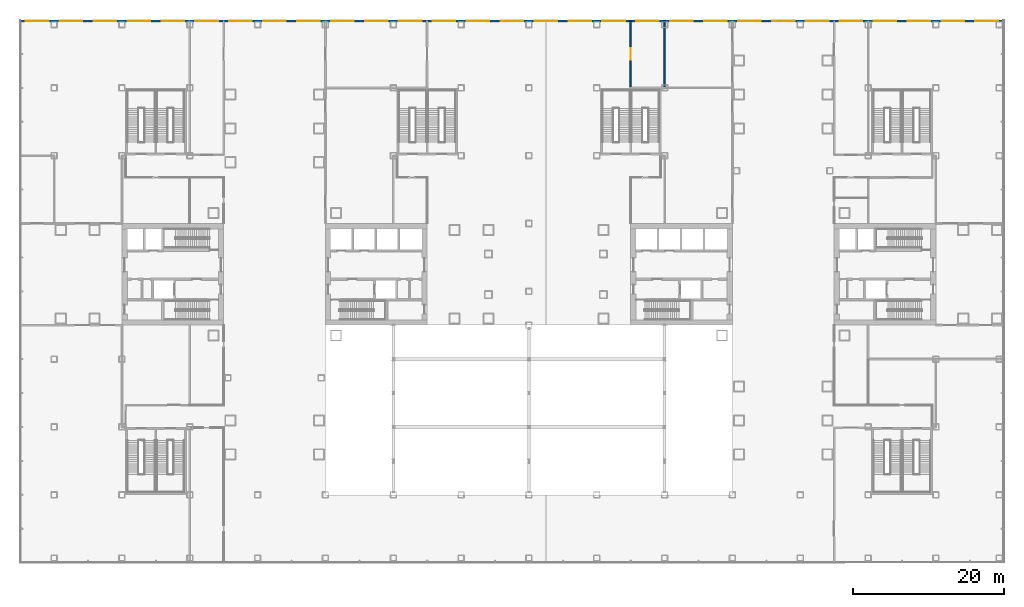
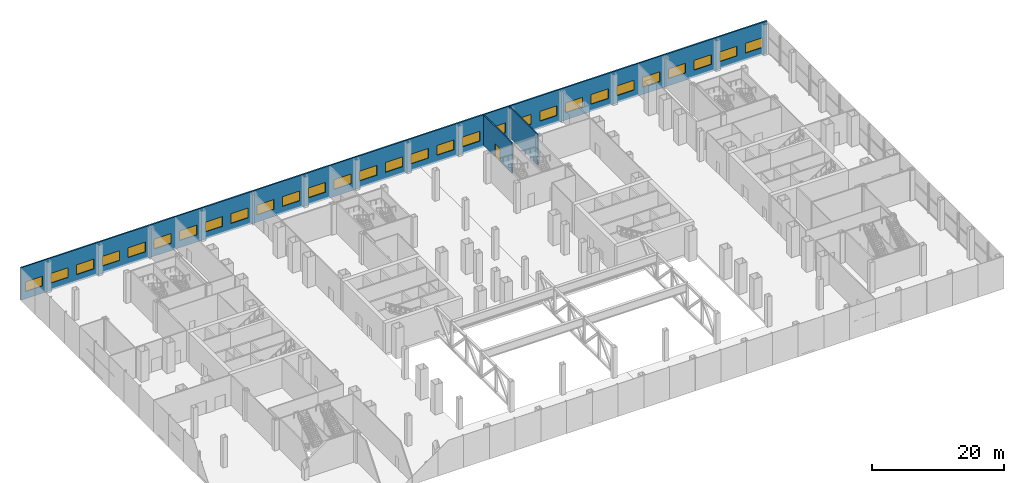
# One storey, part 25 of 33: 29 windows, 3 walls, 1 door, 30 openings.
"""IFC4 building model written with IfcOpenShell, lengths in metres."""

from ifc_helpers import new_model, si_unit, direction, frame, frame_2d, origin, place, context, subcontext, project, spatial, rectangle, extrude, material, layer, layer_set, type_object, element, fill, save


model = new_model("IFC4")

# Units and contexts
model_context = context("Model", 3, precision=1e-05, world=origin(), true_north=direction((0.0, 1.0)))
body_context = subcontext(model_context, "Body", "Model", "MODEL_VIEW")
ifc_project = project(units=[si_unit("LENGTHUNIT", "METRE"), si_unit("AREAUNIT", "SQUARE_METRE"), si_unit("VOLUMEUNIT", "CUBIC_METRE"), si_unit("PLANEANGLEUNIT", "RADIAN"), si_unit("MASSUNIT", "GRAM", prefix="KILO")], contexts=[model_context])

# Site, building, storey
site_placement = place(None, origin())
site = spatial("IfcSite", under=ifc_project, at=site_placement, CompositionType="ELEMENT")
building_placement = place(site_placement, origin())
building = spatial("IfcBuilding", under=site, at=building_placement, Name="Shamsa Quay Exchange Towers", CompositionType="ELEMENT")
storey_placement = place(building_placement, frame((0.0, 0.0, 6.5)))
storey = spatial("IfcBuildingStorey", under=building, at=storey_placement, Name="L01", CompositionType="ELEMENT", Elevation=6.5)

# Wall, opening, door
ifc_material_1 = material(Name="Double-leaf gypsum board partition with acoustic insulation")
ifc_layer_1 = layer(ifc_material_1, 0.199951171875)
ifc_layer_set_1 = layer_set([ifc_layer_1], Name="Acoustic partition 200 mm EI 60")
wall_type_1 = type_object("IfcWallType", Name="Acoustic partition 200 mm EI 60", PredefinedType="PARTITIONING", material=ifc_layer_set_1)
wall_1_placement = place(storey_placement, frame((13.5, 33.655029296875, 0.0), z_axis=(0.0, 0.0, 1.0), x_axis=(0.0, -1.0, 0.0)))
wall_1 = element("IfcWall", 1, at=wall_1_placement, inside=storey, type_object=wall_type_1, Name="Partition PD-L01-W13", PredefinedType="PARTITIONING", context=body_context, shape_type="SweptSolid", body=[
    extrude(rectangle(XDim=8.804931640625, YDim=0.199951171875, at=frame_2d((4.40234375, 0.0))), origin(), (0.0, 0.0, 1.0), 5.60009765625),
])
opening_1_placement = place(wall_1_placement, frame((3.655029296875, 0.0, 0.0)))
opening_1 = element("IfcOpeningElement", 2, at=opening_1_placement, cuts=wall_1, Name="Opening PD-L01-D20", PredefinedType="OPENING", context=body_context, shape_type="SweptSolid", body=[
    extrude(rectangle(XDim=1.5, YDim=2.39990234375, at=frame_2d((0.75, 1.199951171875))), frame((0.0, 0.10986328125, 0.0), z_axis=(0.0, -1.0, 0.0), x_axis=(1.0, 0.0, 0.0)), (0.0, 0.0, 1.0), 0.219970703125),
])
ifc_material_2 = material(Name="Timber door leaf in a metal frame", Category="wood")
door_type = type_object("IfcDoorType", Name="Door 1500x2400 FD30S pair", OperationType="NOTDEFINED", PredefinedType="DOOR", material=ifc_material_2)
door_placement = place(opening_1_placement, origin())
door = element("IfcDoor", 3, at=door_placement, inside=storey, type_object=door_type, Name="Door PD-L01-D20", OperationType="DOUBLE_DOOR_SINGLE_SWING", OverallHeight=2.39990234375, OverallWidth=1.5, PredefinedType="DOOR", context=body_context, shape_type="SweptSolid", body=[
    extrude(rectangle(XDim=1.5, YDim=2.39990234375, at=frame_2d((0.75, 1.199951171875))), frame((0.0, 0.02490234375, 0.0), z_axis=(0.0, -1.0, 0.0), x_axis=(1.0, 0.0, 0.0)), (0.0, 0.0, 1.0), 0.050048828125),
])
fill(opening_1, door)

# Wall
wall_2_placement = place(storey_placement, frame((18.0, 33.655029296875, 0.0), z_axis=(0.0, 0.0, 1.0), x_axis=(0.0, -1.0, 0.0)))
element("IfcWall", 4, at=wall_2_placement, inside=storey, type_object=wall_type_1, Name="Partition PD-L01-W63", PredefinedType="PARTITIONING", context=body_context, shape_type="SweptSolid", body=[
    extrude(rectangle(XDim=8.804931640625, YDim=0.199951171875, at=frame_2d((4.40234375, 0.0))), origin(), (0.0, 0.0, 1.0), 5.60009765625),
])

# Wall, openings, windows
ifc_material_3 = material(Name="Precast concrete C40/50", Category="concrete")
ifc_layer_2 = layer(ifc_material_3, 0.25)
ifc_layer_set_2 = layer_set([ifc_layer_2], Name="PODIUM PRECAST WALL 250 C40/50")
wall_type_2 = type_object("IfcWallType", Name="PODIUM PRECAST WALL 250 C40/50", PredefinedType="SOLIDWALL", material=ifc_layer_set_2)
wall_3_placement = place(storey_placement, frame((-67.5, 33.625, -0.35009765625)))
wall_3 = element("IfcWall", 5, at=wall_3_placement, inside=storey, type_object=wall_type_2, Name="Precast wall PODIUM-L01-F01 L01", PredefinedType="SOLIDWALL", context=body_context, shape_type="SweptSolid", body=[
    extrude(rectangle(XDim=130.5, YDim=0.25, at=frame_2d((65.25, 0.0))), origin(), (0.0, 0.0, 1.0), 6.0),
])
opening_2_placement = place(wall_3_placement, frame((126.75, 0.0, 1.35009765625)))
opening_2 = element("IfcOpeningElement", 6, at=opening_2_placement, cuts=wall_3, Name="Opening FW1", PredefinedType="OPENING", context=body_context, shape_type="SweptSolid", body=[
    extrude(rectangle(XDim=3.0, YDim=1.800048828125, at=frame_2d((1.5, 0.89990234375))), frame((0.0, 0.135009765625, 0.0), z_axis=(0.0, -1.0, 0.0), x_axis=(1.0, 0.0, 0.0)), (0.0, 0.0, 1.0), 0.27001953125),
])
opening_3_placement = place(wall_3_placement, frame((122.25, 0.0, 1.35009765625)))
opening_3 = element("IfcOpeningElement", 7, at=opening_3_placement, cuts=wall_3, Name="Opening FW1", PredefinedType="OPENING", context=body_context, shape_type="SweptSolid", body=[
    extrude(rectangle(XDim=3.0, YDim=1.800048828125, at=frame_2d((1.5, 0.89990234375))), frame((0.0, 0.135009765625, 0.0), z_axis=(0.0, -1.0, 0.0), x_axis=(1.0, 0.0, 0.0)), (0.0, 0.0, 1.0), 0.27001953125),
])
opening_4_placement = place(wall_3_placement, frame((117.75, 0.0, 1.35009765625)))
opening_4 = element("IfcOpeningElement", 8, at=opening_4_placement, cuts=wall_3, Name="Opening FW1", PredefinedType="OPENING", context=body_context, shape_type="SweptSolid", body=[
    extrude(rectangle(XDim=3.0, YDim=1.800048828125, at=frame_2d((1.5, 0.89990234375))), frame((0.0, 0.135009765625, 0.0), z_axis=(0.0, -1.0, 0.0), x_axis=(1.0, 0.0, 0.0)), (0.0, 0.0, 1.0), 0.27001953125),
])
opening_5_placement = place(wall_3_placement, frame((113.25, 0.0, 1.35009765625)))
opening_5 = element("IfcOpeningElement", 9, at=opening_5_placement, cuts=wall_3, Name="Opening FW1", PredefinedType="OPENING", context=body_context, shape_type="SweptSolid", body=[
    extrude(rectangle(XDim=3.0, YDim=1.800048828125, at=frame_2d((1.5, 0.89990234375))), frame((0.0, 0.135009765625, 0.0), z_axis=(0.0, -1.0, 0.0), x_axis=(1.0, 0.0, 0.0)), (0.0, 0.0, 1.0), 0.27001953125),
])
opening_6_placement = place(wall_3_placement, frame((108.75, 0.0, 1.35009765625)))
opening_6 = element("IfcOpeningElement", 10, at=opening_6_placement, cuts=wall_3, Name="Opening FW1", PredefinedType="OPENING", context=body_context, shape_type="SweptSolid", body=[
    extrude(rectangle(XDim=3.0, YDim=1.800048828125, at=frame_2d((1.5, 0.89990234375))), frame((0.0, 0.135009765625, 0.0), z_axis=(0.0, -1.0, 0.0), x_axis=(1.0, 0.0, 0.0)), (0.0, 0.0, 1.0), 0.27001953125),
])
opening_7_placement = place(wall_3_placement, frame((104.25, 0.0, 1.35009765625)))
opening_7 = element("IfcOpeningElement", 11, at=opening_7_placement, cuts=wall_3, Name="Opening FW1", PredefinedType="OPENING", context=body_context, shape_type="SweptSolid", body=[
    extrude(rectangle(XDim=3.0, YDim=1.800048828125, at=frame_2d((1.5, 0.89990234375))), frame((0.0, 0.135009765625, 0.0), z_axis=(0.0, -1.0, 0.0), x_axis=(1.0, 0.0, 0.0)), (0.0, 0.0, 1.0), 0.27001953125),
])
opening_8_placement = place(wall_3_placement, frame((99.75, 0.0, 1.35009765625)))
opening_8 = element("IfcOpeningElement", 12, at=opening_8_placement, cuts=wall_3, Name="Opening FW1", PredefinedType="OPENING", context=body_context, shape_type="SweptSolid", body=[
    extrude(rectangle(XDim=3.0, YDim=1.800048828125, at=frame_2d((1.5, 0.89990234375))), frame((0.0, 0.135009765625, 0.0), z_axis=(0.0, -1.0, 0.0), x_axis=(1.0, 0.0, 0.0)), (0.0, 0.0, 1.0), 0.27001953125),
])
opening_9_placement = place(wall_3_placement, frame((95.25, 0.0, 1.35009765625)))
opening_9 = element("IfcOpeningElement", 13, at=opening_9_placement, cuts=wall_3, Name="Opening FW1", PredefinedType="OPENING", context=body_context, shape_type="SweptSolid", body=[
    extrude(rectangle(XDim=3.0, YDim=1.800048828125, at=frame_2d((1.5, 0.89990234375))), frame((0.0, 0.135009765625, 0.0), z_axis=(0.0, -1.0, 0.0), x_axis=(1.0, 0.0, 0.0)), (0.0, 0.0, 1.0), 0.27001953125),
])
opening_10_placement = place(wall_3_placement, frame((90.75, 0.0, 1.35009765625)))
opening_10 = element("IfcOpeningElement", 14, at=opening_10_placement, cuts=wall_3, Name="Opening FW1", PredefinedType="OPENING", context=body_context, shape_type="SweptSolid", body=[
    extrude(rectangle(XDim=3.0, YDim=1.800048828125, at=frame_2d((1.5, 0.89990234375))), frame((0.0, 0.135009765625, 0.0), z_axis=(0.0, -1.0, 0.0), x_axis=(1.0, 0.0, 0.0)), (0.0, 0.0, 1.0), 0.27001953125),
])
opening_11_placement = place(wall_3_placement, frame((86.25, 0.0, 1.35009765625)))
opening_11 = element("IfcOpeningElement", 15, at=opening_11_placement, cuts=wall_3, Name="Opening FW1", PredefinedType="OPENING", context=body_context, shape_type="SweptSolid", body=[
    extrude(rectangle(XDim=3.0, YDim=1.800048828125, at=frame_2d((1.5, 0.89990234375))), frame((0.0, 0.135009765625, 0.0), z_axis=(0.0, -1.0, 0.0), x_axis=(1.0, 0.0, 0.0)), (0.0, 0.0, 1.0), 0.27001953125),
])
opening_12_placement = place(wall_3_placement, frame((81.75, 0.0, 1.35009765625)))
opening_12 = element("IfcOpeningElement", 16, at=opening_12_placement, cuts=wall_3, Name="Opening FW1", PredefinedType="OPENING", context=body_context, shape_type="SweptSolid", body=[
    extrude(rectangle(XDim=3.0, YDim=1.800048828125, at=frame_2d((1.5, 0.89990234375))), frame((0.0, 0.135009765625, 0.0), z_axis=(0.0, -1.0, 0.0), x_axis=(1.0, 0.0, 0.0)), (0.0, 0.0, 1.0), 0.27001953125),
])
opening_13_placement = place(wall_3_placement, frame((77.25, 0.0, 1.35009765625)))
opening_13 = element("IfcOpeningElement", 17, at=opening_13_placement, cuts=wall_3, Name="Opening FW1", PredefinedType="OPENING", context=body_context, shape_type="SweptSolid", body=[
    extrude(rectangle(XDim=3.0, YDim=1.800048828125, at=frame_2d((1.5, 0.89990234375))), frame((0.0, 0.135009765625, 0.0), z_axis=(0.0, -1.0, 0.0), x_axis=(1.0, 0.0, 0.0)), (0.0, 0.0, 1.0), 0.27001953125),
])
opening_14_placement = place(wall_3_placement, frame((72.75, 0.0, 1.35009765625)))
opening_14 = element("IfcOpeningElement", 18, at=opening_14_placement, cuts=wall_3, Name="Opening FW1", PredefinedType="OPENING", context=body_context, shape_type="SweptSolid", body=[
    extrude(rectangle(XDim=3.0, YDim=1.800048828125, at=frame_2d((1.5, 0.89990234375))), frame((0.0, 0.135009765625, 0.0), z_axis=(0.0, -1.0, 0.0), x_axis=(1.0, 0.0, 0.0)), (0.0, 0.0, 1.0), 0.27001953125),
])
opening_15_placement = place(wall_3_placement, frame((68.25, 0.0, 1.35009765625)))
opening_15 = element("IfcOpeningElement", 19, at=opening_15_placement, cuts=wall_3, Name="Opening FW1", PredefinedType="OPENING", context=body_context, shape_type="SweptSolid", body=[
    extrude(rectangle(XDim=3.0, YDim=1.800048828125, at=frame_2d((1.5, 0.89990234375))), frame((0.0, 0.135009765625, 0.0), z_axis=(0.0, -1.0, 0.0), x_axis=(1.0, 0.0, 0.0)), (0.0, 0.0, 1.0), 0.27001953125),
])
opening_16_placement = place(wall_3_placement, frame((63.75, 0.0, 1.35009765625)))
opening_16 = element("IfcOpeningElement", 20, at=opening_16_placement, cuts=wall_3, Name="Opening FW1", PredefinedType="OPENING", context=body_context, shape_type="SweptSolid", body=[
    extrude(rectangle(XDim=3.0, YDim=1.800048828125, at=frame_2d((1.5, 0.89990234375))), frame((0.0, 0.135009765625, 0.0), z_axis=(0.0, -1.0, 0.0), x_axis=(1.0, 0.0, 0.0)), (0.0, 0.0, 1.0), 0.27001953125),
])
opening_17_placement = place(wall_3_placement, frame((59.25, 0.0, 1.35009765625)))
opening_17 = element("IfcOpeningElement", 21, at=opening_17_placement, cuts=wall_3, Name="Opening FW1", PredefinedType="OPENING", context=body_context, shape_type="SweptSolid", body=[
    extrude(rectangle(XDim=3.0, YDim=1.800048828125, at=frame_2d((1.5, 0.89990234375))), frame((0.0, 0.135009765625, 0.0), z_axis=(0.0, -1.0, 0.0), x_axis=(1.0, 0.0, 0.0)), (0.0, 0.0, 1.0), 0.27001953125),
])
opening_18_placement = place(wall_3_placement, frame((54.75, 0.0, 1.35009765625)))
opening_18 = element("IfcOpeningElement", 22, at=opening_18_placement, cuts=wall_3, Name="Opening FW1", PredefinedType="OPENING", context=body_context, shape_type="SweptSolid", body=[
    extrude(rectangle(XDim=3.0, YDim=1.800048828125, at=frame_2d((1.5, 0.89990234375))), frame((0.0, 0.135009765625, 0.0), z_axis=(0.0, -1.0, 0.0), x_axis=(1.0, 0.0, 0.0)), (0.0, 0.0, 1.0), 0.27001953125),
])
opening_19_placement = place(wall_3_placement, frame((50.25, 0.0, 1.35009765625)))
opening_19 = element("IfcOpeningElement", 23, at=opening_19_placement, cuts=wall_3, Name="Opening FW1", PredefinedType="OPENING", context=body_context, shape_type="SweptSolid", body=[
    extrude(rectangle(XDim=3.0, YDim=1.800048828125, at=frame_2d((1.5, 0.89990234375))), frame((0.0, 0.135009765625, 0.0), z_axis=(0.0, -1.0, 0.0), x_axis=(1.0, 0.0, 0.0)), (0.0, 0.0, 1.0), 0.27001953125),
])
opening_20_placement = place(wall_3_placement, frame((45.75, 0.0, 1.35009765625)))
opening_20 = element("IfcOpeningElement", 24, at=opening_20_placement, cuts=wall_3, Name="Opening FW1", PredefinedType="OPENING", context=body_context, shape_type="SweptSolid", body=[
    extrude(rectangle(XDim=3.0, YDim=1.800048828125, at=frame_2d((1.5, 0.89990234375))), frame((0.0, 0.135009765625, 0.0), z_axis=(0.0, -1.0, 0.0), x_axis=(1.0, 0.0, 0.0)), (0.0, 0.0, 1.0), 0.27001953125),
])
opening_21_placement = place(wall_3_placement, frame((41.25, 0.0, 1.35009765625)))
opening_21 = element("IfcOpeningElement", 25, at=opening_21_placement, cuts=wall_3, Name="Opening FW1", PredefinedType="OPENING", context=body_context, shape_type="SweptSolid", body=[
    extrude(rectangle(XDim=3.0, YDim=1.800048828125, at=frame_2d((1.5, 0.89990234375))), frame((0.0, 0.135009765625, 0.0), z_axis=(0.0, -1.0, 0.0), x_axis=(1.0, 0.0, 0.0)), (0.0, 0.0, 1.0), 0.27001953125),
])
opening_22_placement = place(wall_3_placement, frame((36.75, 0.0, 1.35009765625)))
opening_22 = element("IfcOpeningElement", 26, at=opening_22_placement, cuts=wall_3, Name="Opening FW1", PredefinedType="OPENING", context=body_context, shape_type="SweptSolid", body=[
    extrude(rectangle(XDim=3.0, YDim=1.800048828125, at=frame_2d((1.5, 0.89990234375))), frame((0.0, 0.135009765625, 0.0), z_axis=(0.0, -1.0, 0.0), x_axis=(1.0, 0.0, 0.0)), (0.0, 0.0, 1.0), 0.27001953125),
])
opening_23_placement = place(wall_3_placement, frame((32.25, 0.0, 1.35009765625)))
opening_23 = element("IfcOpeningElement", 27, at=opening_23_placement, cuts=wall_3, Name="Opening FW1", PredefinedType="OPENING", context=body_context, shape_type="SweptSolid", body=[
    extrude(rectangle(XDim=3.0, YDim=1.800048828125, at=frame_2d((1.5, 0.89990234375))), frame((0.0, 0.135009765625, 0.0), z_axis=(0.0, -1.0, 0.0), x_axis=(1.0, 0.0, 0.0)), (0.0, 0.0, 1.0), 0.27001953125),
])
opening_24_placement = place(wall_3_placement, frame((27.75, 0.0, 1.35009765625)))
opening_24 = element("IfcOpeningElement", 28, at=opening_24_placement, cuts=wall_3, Name="Opening FW1", PredefinedType="OPENING", context=body_context, shape_type="SweptSolid", body=[
    extrude(rectangle(XDim=3.0, YDim=1.800048828125, at=frame_2d((1.5, 0.89990234375))), frame((0.0, 0.135009765625, 0.0), z_axis=(0.0, -1.0, 0.0), x_axis=(1.0, 0.0, 0.0)), (0.0, 0.0, 1.0), 0.27001953125),
])
opening_25_placement = place(wall_3_placement, frame((23.25, 0.0, 1.35009765625)))
opening_25 = element("IfcOpeningElement", 29, at=opening_25_placement, cuts=wall_3, Name="Opening FW1", PredefinedType="OPENING", context=body_context, shape_type="SweptSolid", body=[
    extrude(rectangle(XDim=3.0, YDim=1.800048828125, at=frame_2d((1.5, 0.89990234375))), frame((0.0, 0.135009765625, 0.0), z_axis=(0.0, -1.0, 0.0), x_axis=(1.0, 0.0, 0.0)), (0.0, 0.0, 1.0), 0.27001953125),
])
opening_26_placement = place(wall_3_placement, frame((18.75, 0.0, 1.35009765625)))
opening_26 = element("IfcOpeningElement", 30, at=opening_26_placement, cuts=wall_3, Name="Opening FW1", PredefinedType="OPENING", context=body_context, shape_type="SweptSolid", body=[
    extrude(rectangle(XDim=3.0, YDim=1.800048828125, at=frame_2d((1.5, 0.89990234375))), frame((0.0, 0.135009765625, 0.0), z_axis=(0.0, -1.0, 0.0), x_axis=(1.0, 0.0, 0.0)), (0.0, 0.0, 1.0), 0.27001953125),
])
opening_27_placement = place(wall_3_placement, frame((14.25, 0.0, 1.35009765625)))
opening_27 = element("IfcOpeningElement", 31, at=opening_27_placement, cuts=wall_3, Name="Opening FW1", PredefinedType="OPENING", context=body_context, shape_type="SweptSolid", body=[
    extrude(rectangle(XDim=3.0, YDim=1.800048828125, at=frame_2d((1.5, 0.89990234375))), frame((0.0, 0.135009765625, 0.0), z_axis=(0.0, -1.0, 0.0), x_axis=(1.0, 0.0, 0.0)), (0.0, 0.0, 1.0), 0.27001953125),
])
opening_28_placement = place(wall_3_placement, frame((9.75, 0.0, 1.35009765625)))
opening_28 = element("IfcOpeningElement", 32, at=opening_28_placement, cuts=wall_3, Name="Opening FW1", PredefinedType="OPENING", context=body_context, shape_type="SweptSolid", body=[
    extrude(rectangle(XDim=3.0, YDim=1.800048828125, at=frame_2d((1.5, 0.89990234375))), frame((0.0, 0.135009765625, 0.0), z_axis=(0.0, -1.0, 0.0), x_axis=(1.0, 0.0, 0.0)), (0.0, 0.0, 1.0), 0.27001953125),
])
opening_29_placement = place(wall_3_placement, frame((5.25, 0.0, 1.35009765625)))
opening_29 = element("IfcOpeningElement", 33, at=opening_29_placement, cuts=wall_3, Name="Opening FW1", PredefinedType="OPENING", context=body_context, shape_type="SweptSolid", body=[
    extrude(rectangle(XDim=3.0, YDim=1.800048828125, at=frame_2d((1.5, 0.89990234375))), frame((0.0, 0.135009765625, 0.0), z_axis=(0.0, -1.0, 0.0), x_axis=(1.0, 0.0, 0.0)), (0.0, 0.0, 1.0), 0.27001953125),
])
opening_30_placement = place(wall_3_placement, frame((0.75, 0.0, 1.35009765625)))
opening_30 = element("IfcOpeningElement", 34, at=opening_30_placement, cuts=wall_3, Name="Opening FW1", PredefinedType="OPENING", context=body_context, shape_type="SweptSolid", body=[
    extrude(rectangle(XDim=3.0, YDim=1.800048828125, at=frame_2d((1.5, 0.89990234375))), frame((0.0, 0.135009765625, 0.0), z_axis=(0.0, -1.0, 0.0), x_axis=(1.0, 0.0, 0.0)), (0.0, 0.0, 1.0), 0.27001953125),
])
ifc_material_4 = material(Name="Aluminium EN AW-6063 T6, black anodised, with laminated glass", Category="aluminium")
window_type = type_object("IfcWindowType", Name="FIXED WINDOW 3000x1800", PartitioningType="TRIPLE_PANEL_VERTICAL", PredefinedType="WINDOW", material=ifc_material_4)
window_1_placement = place(opening_2_placement, origin())
window_1 = element("IfcWindow", 35, at=window_1_placement, inside=storey, type_object=window_type, Name="Fixed window PODIUM-L01-F01 1", OverallHeight=1.800048828125, OverallWidth=3.0, PartitioningType="TRIPLE_PANEL_VERTICAL", PredefinedType="WINDOW", context=body_context, shape_type="SweptSolid", body=[
    extrude(rectangle(XDim=3.0, YDim=1.800048828125, at=frame_2d((1.5, 0.89990234375))), frame((0.0, 0.030029296875, 0.0), z_axis=(0.0, -1.0, 0.0), x_axis=(1.0, 0.0, 0.0)), (0.0, 0.0, 1.0), 0.06005859375),
])
fill(opening_2, window_1)
window_2_placement = place(opening_3_placement, origin())
window_2 = element("IfcWindow", 36, at=window_2_placement, inside=storey, type_object=window_type, Name="Fixed window PODIUM-L01-F01 2", OverallHeight=1.800048828125, OverallWidth=3.0, PartitioningType="TRIPLE_PANEL_VERTICAL", PredefinedType="WINDOW", context=body_context, shape_type="SweptSolid", body=[
    extrude(rectangle(XDim=3.0, YDim=1.800048828125, at=frame_2d((1.5, 0.89990234375))), frame((0.0, 0.030029296875, 0.0), z_axis=(0.0, -1.0, 0.0), x_axis=(1.0, 0.0, 0.0)), (0.0, 0.0, 1.0), 0.06005859375),
])
fill(opening_3, window_2)
window_3_placement = place(opening_4_placement, origin())
window_3 = element("IfcWindow", 37, at=window_3_placement, inside=storey, type_object=window_type, Name="Fixed window PODIUM-L01-F01 3", OverallHeight=1.800048828125, OverallWidth=3.0, PartitioningType="TRIPLE_PANEL_VERTICAL", PredefinedType="WINDOW", context=body_context, shape_type="SweptSolid", body=[
    extrude(rectangle(XDim=3.0, YDim=1.800048828125, at=frame_2d((1.5, 0.89990234375))), frame((0.0, 0.030029296875, 0.0), z_axis=(0.0, -1.0, 0.0), x_axis=(1.0, 0.0, 0.0)), (0.0, 0.0, 1.0), 0.06005859375),
])
fill(opening_4, window_3)
window_4_placement = place(opening_5_placement, origin())
window_4 = element("IfcWindow", 38, at=window_4_placement, inside=storey, type_object=window_type, Name="Fixed window PODIUM-L01-F01 4", OverallHeight=1.800048828125, OverallWidth=3.0, PartitioningType="TRIPLE_PANEL_VERTICAL", PredefinedType="WINDOW", context=body_context, shape_type="SweptSolid", body=[
    extrude(rectangle(XDim=3.0, YDim=1.800048828125, at=frame_2d((1.5, 0.89990234375))), frame((0.0, 0.030029296875, 0.0), z_axis=(0.0, -1.0, 0.0), x_axis=(1.0, 0.0, 0.0)), (0.0, 0.0, 1.0), 0.06005859375),
])
fill(opening_5, window_4)
window_5_placement = place(opening_6_placement, origin())
window_5 = element("IfcWindow", 39, at=window_5_placement, inside=storey, type_object=window_type, Name="Fixed window PODIUM-L01-F01 5", OverallHeight=1.800048828125, OverallWidth=3.0, PartitioningType="TRIPLE_PANEL_VERTICAL", PredefinedType="WINDOW", context=body_context, shape_type="SweptSolid", body=[
    extrude(rectangle(XDim=3.0, YDim=1.800048828125, at=frame_2d((1.5, 0.89990234375))), frame((0.0, 0.030029296875, 0.0), z_axis=(0.0, -1.0, 0.0), x_axis=(1.0, 0.0, 0.0)), (0.0, 0.0, 1.0), 0.06005859375),
])
fill(opening_6, window_5)
window_6_placement = place(opening_7_placement, origin())
window_6 = element("IfcWindow", 40, at=window_6_placement, inside=storey, type_object=window_type, Name="Fixed window PODIUM-L01-F01 6", OverallHeight=1.800048828125, OverallWidth=3.0, PartitioningType="TRIPLE_PANEL_VERTICAL", PredefinedType="WINDOW", context=body_context, shape_type="SweptSolid", body=[
    extrude(rectangle(XDim=3.0, YDim=1.800048828125, at=frame_2d((1.5, 0.89990234375))), frame((0.0, 0.030029296875, 0.0), z_axis=(0.0, -1.0, 0.0), x_axis=(1.0, 0.0, 0.0)), (0.0, 0.0, 1.0), 0.06005859375),
])
fill(opening_7, window_6)
window_7_placement = place(opening_8_placement, origin())
window_7 = element("IfcWindow", 41, at=window_7_placement, inside=storey, type_object=window_type, Name="Fixed window PODIUM-L01-F01 7", OverallHeight=1.800048828125, OverallWidth=3.0, PartitioningType="TRIPLE_PANEL_VERTICAL", PredefinedType="WINDOW", context=body_context, shape_type="SweptSolid", body=[
    extrude(rectangle(XDim=3.0, YDim=1.800048828125, at=frame_2d((1.5, 0.89990234375))), frame((0.0, 0.030029296875, 0.0), z_axis=(0.0, -1.0, 0.0), x_axis=(1.0, 0.0, 0.0)), (0.0, 0.0, 1.0), 0.06005859375),
])
fill(opening_8, window_7)
window_8_placement = place(opening_9_placement, origin())
window_8 = element("IfcWindow", 42, at=window_8_placement, inside=storey, type_object=window_type, Name="Fixed window PODIUM-L01-F01 8", OverallHeight=1.800048828125, OverallWidth=3.0, PartitioningType="TRIPLE_PANEL_VERTICAL", PredefinedType="WINDOW", context=body_context, shape_type="SweptSolid", body=[
    extrude(rectangle(XDim=3.0, YDim=1.800048828125, at=frame_2d((1.5, 0.89990234375))), frame((0.0, 0.030029296875, 0.0), z_axis=(0.0, -1.0, 0.0), x_axis=(1.0, 0.0, 0.0)), (0.0, 0.0, 1.0), 0.06005859375),
])
fill(opening_9, window_8)
window_9_placement = place(opening_10_placement, origin())
window_9 = element("IfcWindow", 43, at=window_9_placement, inside=storey, type_object=window_type, Name="Fixed window PODIUM-L01-F01 9", OverallHeight=1.800048828125, OverallWidth=3.0, PartitioningType="TRIPLE_PANEL_VERTICAL", PredefinedType="WINDOW", context=body_context, shape_type="SweptSolid", body=[
    extrude(rectangle(XDim=3.0, YDim=1.800048828125, at=frame_2d((1.5, 0.89990234375))), frame((0.0, 0.030029296875, 0.0), z_axis=(0.0, -1.0, 0.0), x_axis=(1.0, 0.0, 0.0)), (0.0, 0.0, 1.0), 0.06005859375),
])
fill(opening_10, window_9)
window_10_placement = place(opening_11_placement, origin())
window_10 = element("IfcWindow", 44, at=window_10_placement, inside=storey, type_object=window_type, Name="Fixed window PODIUM-L01-F01 10", OverallHeight=1.800048828125, OverallWidth=3.0, PartitioningType="TRIPLE_PANEL_VERTICAL", PredefinedType="WINDOW", context=body_context, shape_type="SweptSolid", body=[
    extrude(rectangle(XDim=3.0, YDim=1.800048828125, at=frame_2d((1.5, 0.89990234375))), frame((0.0, 0.030029296875, 0.0), z_axis=(0.0, -1.0, 0.0), x_axis=(1.0, 0.0, 0.0)), (0.0, 0.0, 1.0), 0.06005859375),
])
fill(opening_11, window_10)
window_11_placement = place(opening_12_placement, origin())
window_11 = element("IfcWindow", 45, at=window_11_placement, inside=storey, type_object=window_type, Name="Fixed window PODIUM-L01-F01 11", OverallHeight=1.800048828125, OverallWidth=3.0, PartitioningType="TRIPLE_PANEL_VERTICAL", PredefinedType="WINDOW", context=body_context, shape_type="SweptSolid", body=[
    extrude(rectangle(XDim=3.0, YDim=1.800048828125, at=frame_2d((1.5, 0.89990234375))), frame((0.0, 0.030029296875, 0.0), z_axis=(0.0, -1.0, 0.0), x_axis=(1.0, 0.0, 0.0)), (0.0, 0.0, 1.0), 0.06005859375),
])
fill(opening_12, window_11)
window_12_placement = place(opening_13_placement, origin())
window_12 = element("IfcWindow", 46, at=window_12_placement, inside=storey, type_object=window_type, Name="Fixed window PODIUM-L01-F01 12", OverallHeight=1.800048828125, OverallWidth=3.0, PartitioningType="TRIPLE_PANEL_VERTICAL", PredefinedType="WINDOW", context=body_context, shape_type="SweptSolid", body=[
    extrude(rectangle(XDim=3.0, YDim=1.800048828125, at=frame_2d((1.5, 0.89990234375))), frame((0.0, 0.030029296875, 0.0), z_axis=(0.0, -1.0, 0.0), x_axis=(1.0, 0.0, 0.0)), (0.0, 0.0, 1.0), 0.06005859375),
])
fill(opening_13, window_12)
window_13_placement = place(opening_14_placement, origin())
window_13 = element("IfcWindow", 47, at=window_13_placement, inside=storey, type_object=window_type, Name="Fixed window PODIUM-L01-F01 13", OverallHeight=1.800048828125, OverallWidth=3.0, PartitioningType="TRIPLE_PANEL_VERTICAL", PredefinedType="WINDOW", context=body_context, shape_type="SweptSolid", body=[
    extrude(rectangle(XDim=3.0, YDim=1.800048828125, at=frame_2d((1.5, 0.89990234375))), frame((0.0, 0.030029296875, 0.0), z_axis=(0.0, -1.0, 0.0), x_axis=(1.0, 0.0, 0.0)), (0.0, 0.0, 1.0), 0.06005859375),
])
fill(opening_14, window_13)
window_14_placement = place(opening_15_placement, origin())
window_14 = element("IfcWindow", 48, at=window_14_placement, inside=storey, type_object=window_type, Name="Fixed window PODIUM-L01-F01 14", OverallHeight=1.800048828125, OverallWidth=3.0, PartitioningType="TRIPLE_PANEL_VERTICAL", PredefinedType="WINDOW", context=body_context, shape_type="SweptSolid", body=[
    extrude(rectangle(XDim=3.0, YDim=1.800048828125, at=frame_2d((1.5, 0.89990234375))), frame((0.0, 0.030029296875, 0.0), z_axis=(0.0, -1.0, 0.0), x_axis=(1.0, 0.0, 0.0)), (0.0, 0.0, 1.0), 0.06005859375),
])
fill(opening_15, window_14)
window_15_placement = place(opening_16_placement, origin())
window_15 = element("IfcWindow", 49, at=window_15_placement, inside=storey, type_object=window_type, Name="Fixed window PODIUM-L01-F01 15", OverallHeight=1.800048828125, OverallWidth=3.0, PartitioningType="TRIPLE_PANEL_VERTICAL", PredefinedType="WINDOW", context=body_context, shape_type="SweptSolid", body=[
    extrude(rectangle(XDim=3.0, YDim=1.800048828125, at=frame_2d((1.5, 0.89990234375))), frame((0.0, 0.030029296875, 0.0), z_axis=(0.0, -1.0, 0.0), x_axis=(1.0, 0.0, 0.0)), (0.0, 0.0, 1.0), 0.06005859375),
])
fill(opening_16, window_15)
window_16_placement = place(opening_17_placement, origin())
window_16 = element("IfcWindow", 50, at=window_16_placement, inside=storey, type_object=window_type, Name="Fixed window PODIUM-L01-F01 16", OverallHeight=1.800048828125, OverallWidth=3.0, PartitioningType="TRIPLE_PANEL_VERTICAL", PredefinedType="WINDOW", context=body_context, shape_type="SweptSolid", body=[
    extrude(rectangle(XDim=3.0, YDim=1.800048828125, at=frame_2d((1.5, 0.89990234375))), frame((0.0, 0.030029296875, 0.0), z_axis=(0.0, -1.0, 0.0), x_axis=(1.0, 0.0, 0.0)), (0.0, 0.0, 1.0), 0.06005859375),
])
fill(opening_17, window_16)
window_17_placement = place(opening_18_placement, origin())
window_17 = element("IfcWindow", 51, at=window_17_placement, inside=storey, type_object=window_type, Name="Fixed window PODIUM-L01-F01 17", OverallHeight=1.800048828125, OverallWidth=3.0, PartitioningType="TRIPLE_PANEL_VERTICAL", PredefinedType="WINDOW", context=body_context, shape_type="SweptSolid", body=[
    extrude(rectangle(XDim=3.0, YDim=1.800048828125, at=frame_2d((1.5, 0.89990234375))), frame((0.0, 0.030029296875, 0.0), z_axis=(0.0, -1.0, 0.0), x_axis=(1.0, 0.0, 0.0)), (0.0, 0.0, 1.0), 0.06005859375),
])
fill(opening_18, window_17)
window_18_placement = place(opening_19_placement, origin())
window_18 = element("IfcWindow", 52, at=window_18_placement, inside=storey, type_object=window_type, Name="Fixed window PODIUM-L01-F01 18", OverallHeight=1.800048828125, OverallWidth=3.0, PartitioningType="TRIPLE_PANEL_VERTICAL", PredefinedType="WINDOW", context=body_context, shape_type="SweptSolid", body=[
    extrude(rectangle(XDim=3.0, YDim=1.800048828125, at=frame_2d((1.5, 0.89990234375))), frame((0.0, 0.030029296875, 0.0), z_axis=(0.0, -1.0, 0.0), x_axis=(1.0, 0.0, 0.0)), (0.0, 0.0, 1.0), 0.06005859375),
])
fill(opening_19, window_18)
window_19_placement = place(opening_20_placement, origin())
window_19 = element("IfcWindow", 53, at=window_19_placement, inside=storey, type_object=window_type, Name="Fixed window PODIUM-L01-F01 19", OverallHeight=1.800048828125, OverallWidth=3.0, PartitioningType="TRIPLE_PANEL_VERTICAL", PredefinedType="WINDOW", context=body_context, shape_type="SweptSolid", body=[
    extrude(rectangle(XDim=3.0, YDim=1.800048828125, at=frame_2d((1.5, 0.89990234375))), frame((0.0, 0.030029296875, 0.0), z_axis=(0.0, -1.0, 0.0), x_axis=(1.0, 0.0, 0.0)), (0.0, 0.0, 1.0), 0.06005859375),
])
fill(opening_20, window_19)
window_20_placement = place(opening_21_placement, origin())
window_20 = element("IfcWindow", 54, at=window_20_placement, inside=storey, type_object=window_type, Name="Fixed window PODIUM-L01-F01 20", OverallHeight=1.800048828125, OverallWidth=3.0, PartitioningType="TRIPLE_PANEL_VERTICAL", PredefinedType="WINDOW", context=body_context, shape_type="SweptSolid", body=[
    extrude(rectangle(XDim=3.0, YDim=1.800048828125, at=frame_2d((1.5, 0.89990234375))), frame((0.0, 0.030029296875, 0.0), z_axis=(0.0, -1.0, 0.0), x_axis=(1.0, 0.0, 0.0)), (0.0, 0.0, 1.0), 0.06005859375),
])
fill(opening_21, window_20)
window_21_placement = place(opening_22_placement, origin())
window_21 = element("IfcWindow", 55, at=window_21_placement, inside=storey, type_object=window_type, Name="Fixed window PODIUM-L01-F01 21", OverallHeight=1.800048828125, OverallWidth=3.0, PartitioningType="TRIPLE_PANEL_VERTICAL", PredefinedType="WINDOW", context=body_context, shape_type="SweptSolid", body=[
    extrude(rectangle(XDim=3.0, YDim=1.800048828125, at=frame_2d((1.5, 0.89990234375))), frame((0.0, 0.030029296875, 0.0), z_axis=(0.0, -1.0, 0.0), x_axis=(1.0, 0.0, 0.0)), (0.0, 0.0, 1.0), 0.06005859375),
])
fill(opening_22, window_21)
window_22_placement = place(opening_23_placement, origin())
window_22 = element("IfcWindow", 56, at=window_22_placement, inside=storey, type_object=window_type, Name="Fixed window PODIUM-L01-F01 22", OverallHeight=1.800048828125, OverallWidth=3.0, PartitioningType="TRIPLE_PANEL_VERTICAL", PredefinedType="WINDOW", context=body_context, shape_type="SweptSolid", body=[
    extrude(rectangle(XDim=3.0, YDim=1.800048828125, at=frame_2d((1.5, 0.89990234375))), frame((0.0, 0.030029296875, 0.0), z_axis=(0.0, -1.0, 0.0), x_axis=(1.0, 0.0, 0.0)), (0.0, 0.0, 1.0), 0.06005859375),
])
fill(opening_23, window_22)
window_23_placement = place(opening_24_placement, origin())
window_23 = element("IfcWindow", 57, at=window_23_placement, inside=storey, type_object=window_type, Name="Fixed window PODIUM-L01-F01 23", OverallHeight=1.800048828125, OverallWidth=3.0, PartitioningType="TRIPLE_PANEL_VERTICAL", PredefinedType="WINDOW", context=body_context, shape_type="SweptSolid", body=[
    extrude(rectangle(XDim=3.0, YDim=1.800048828125, at=frame_2d((1.5, 0.89990234375))), frame((0.0, 0.030029296875, 0.0), z_axis=(0.0, -1.0, 0.0), x_axis=(1.0, 0.0, 0.0)), (0.0, 0.0, 1.0), 0.06005859375),
])
fill(opening_24, window_23)
window_24_placement = place(opening_25_placement, origin())
window_24 = element("IfcWindow", 58, at=window_24_placement, inside=storey, type_object=window_type, Name="Fixed window PODIUM-L01-F01 24", OverallHeight=1.800048828125, OverallWidth=3.0, PartitioningType="TRIPLE_PANEL_VERTICAL", PredefinedType="WINDOW", context=body_context, shape_type="SweptSolid", body=[
    extrude(rectangle(XDim=3.0, YDim=1.800048828125, at=frame_2d((1.5, 0.89990234375))), frame((0.0, 0.030029296875, 0.0), z_axis=(0.0, -1.0, 0.0), x_axis=(1.0, 0.0, 0.0)), (0.0, 0.0, 1.0), 0.06005859375),
])
fill(opening_25, window_24)
window_25_placement = place(opening_26_placement, origin())
window_25 = element("IfcWindow", 59, at=window_25_placement, inside=storey, type_object=window_type, Name="Fixed window PODIUM-L01-F01 25", OverallHeight=1.800048828125, OverallWidth=3.0, PartitioningType="TRIPLE_PANEL_VERTICAL", PredefinedType="WINDOW", context=body_context, shape_type="SweptSolid", body=[
    extrude(rectangle(XDim=3.0, YDim=1.800048828125, at=frame_2d((1.5, 0.89990234375))), frame((0.0, 0.030029296875, 0.0), z_axis=(0.0, -1.0, 0.0), x_axis=(1.0, 0.0, 0.0)), (0.0, 0.0, 1.0), 0.06005859375),
])
fill(opening_26, window_25)
window_26_placement = place(opening_27_placement, origin())
window_26 = element("IfcWindow", 60, at=window_26_placement, inside=storey, type_object=window_type, Name="Fixed window PODIUM-L01-F01 26", OverallHeight=1.800048828125, OverallWidth=3.0, PartitioningType="TRIPLE_PANEL_VERTICAL", PredefinedType="WINDOW", context=body_context, shape_type="SweptSolid", body=[
    extrude(rectangle(XDim=3.0, YDim=1.800048828125, at=frame_2d((1.5, 0.89990234375))), frame((0.0, 0.030029296875, 0.0), z_axis=(0.0, -1.0, 0.0), x_axis=(1.0, 0.0, 0.0)), (0.0, 0.0, 1.0), 0.06005859375),
])
fill(opening_27, window_26)
window_27_placement = place(opening_28_placement, origin())
window_27 = element("IfcWindow", 61, at=window_27_placement, inside=storey, type_object=window_type, Name="Fixed window PODIUM-L01-F01 27", OverallHeight=1.800048828125, OverallWidth=3.0, PartitioningType="TRIPLE_PANEL_VERTICAL", PredefinedType="WINDOW", context=body_context, shape_type="SweptSolid", body=[
    extrude(rectangle(XDim=3.0, YDim=1.800048828125, at=frame_2d((1.5, 0.89990234375))), frame((0.0, 0.030029296875, 0.0), z_axis=(0.0, -1.0, 0.0), x_axis=(1.0, 0.0, 0.0)), (0.0, 0.0, 1.0), 0.06005859375),
])
fill(opening_28, window_27)
window_28_placement = place(opening_29_placement, origin())
window_28 = element("IfcWindow", 62, at=window_28_placement, inside=storey, type_object=window_type, Name="Fixed window PODIUM-L01-F01 28", OverallHeight=1.800048828125, OverallWidth=3.0, PartitioningType="TRIPLE_PANEL_VERTICAL", PredefinedType="WINDOW", context=body_context, shape_type="SweptSolid", body=[
    extrude(rectangle(XDim=3.0, YDim=1.800048828125, at=frame_2d((1.5, 0.89990234375))), frame((0.0, 0.030029296875, 0.0), z_axis=(0.0, -1.0, 0.0), x_axis=(1.0, 0.0, 0.0)), (0.0, 0.0, 1.0), 0.06005859375),
])
fill(opening_29, window_28)
window_29_placement = place(opening_30_placement, origin())
window_29 = element("IfcWindow", 63, at=window_29_placement, inside=storey, type_object=window_type, Name="Fixed window PODIUM-L01-F01 29", OverallHeight=1.800048828125, OverallWidth=3.0, PartitioningType="TRIPLE_PANEL_VERTICAL", PredefinedType="WINDOW", context=body_context, shape_type="SweptSolid", body=[
    extrude(rectangle(XDim=3.0, YDim=1.800048828125, at=frame_2d((1.5, 0.89990234375))), frame((0.0, 0.030029296875, 0.0), z_axis=(0.0, -1.0, 0.0), x_axis=(1.0, 0.0, 0.0)), (0.0, 0.0, 1.0), 0.06005859375),
])
fill(opening_30, window_29)

save(model, "model.ifc")
